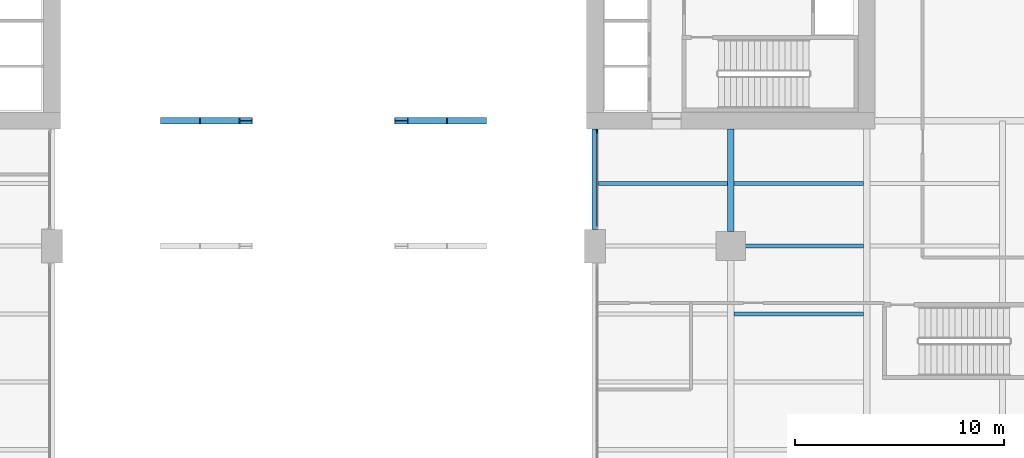
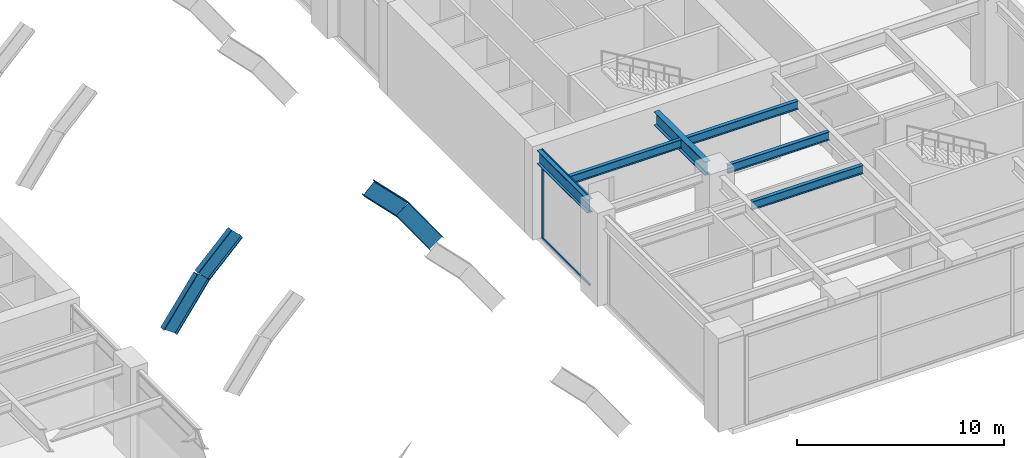
# One storey, part 4 of 18: 7 members, 6 beams, 1 element without a shape of its own.
"""IFC4 building model written with IfcOpenShell, lengths in metres."""

from ifc_helpers import new_model, si_unit, direction, frame, origin, origin_2d, place, context, subcontext, project, spatial, rectangle, i_section, extrude, material, layer, layer_set, material_profile, profile_set, type_object, element, aggregate, save


model = new_model("IFC4")

# Units and contexts
model_context = context("Model", 3, precision=1e-05, world=origin(), true_north=direction((0.0, 1.0)))
body_context = subcontext(model_context, "Body", "Model", "MODEL_VIEW")
ifc_project = project(units=[si_unit("LENGTHUNIT", "METRE"), si_unit("AREAUNIT", "SQUARE_METRE"), si_unit("VOLUMEUNIT", "CUBIC_METRE"), si_unit("PLANEANGLEUNIT", "RADIAN"), si_unit("MASSUNIT", "GRAM", prefix="KILO")], contexts=[model_context])

# Site, building, storey
site_placement = place(None, origin())
site = spatial("IfcSite", under=ifc_project, at=site_placement, CompositionType="ELEMENT")
building_placement = place(site_placement, origin())
building = spatial("IfcBuilding", under=site, at=building_placement, Name="Putna Gate Headquarters", CompositionType="ELEMENT")
storey_placement = place(building_placement, frame((0.0, 0.0, 11.5)))
storey = spatial("IfcBuildingStorey", under=building, at=storey_placement, Name="L02", CompositionType="ELEMENT", Elevation=11.5)

# Beams
ifc_material_1 = material(Name="Steel S355J2", Category="steel")
ifc_material_profile_1 = material_profile(ifc_material_1, i_section(OverallWidth=0.300048828125, OverallDepth=0.800048828125, WebThickness=0.017578125, FlangeThickness=0.032958984375, at=origin_2d()), Name="Steel S355J2")
ifc_profile_set_1 = profile_set([ifc_material_profile_1], Name="Steel S355J2")
beam_type_1 = type_object("IfcBeamType", Name="BM-GIRD-P-HEB800", PredefinedType="USERDEFINED", material=ifc_profile_set_1)
beam_1_placement = place(storey_placement, frame((52.0, 13.7880859375, 4.820068359375), z_axis=(0.0, 1.0, 0.0), x_axis=(-1.0, 0.0, 0.0)))
element("IfcBeam", 1, at=beam_1_placement, inside=storey, type_object=beam_type_1, Name="L02 South Primary Girder X52-2", ObjectType="GIRDER", PredefinedType="USERDEFINED", context=body_context, shape_type="SweptSolid", body=[
    extrude(i_section(OverallWidth=0.300048828125, OverallDepth=0.800048828125, WebThickness=0.017578125, FlangeThickness=0.032958984375, at=origin_2d()), origin(), (0.0, 0.0, 1.0), 4.826904296875),
])
beam_2_placement = place(storey_placement, frame((58.5, 13.68798828125, 4.820068359375), z_axis=(0.0, 1.0, 0.0), x_axis=(-1.0, 0.0, 0.0)))
element("IfcBeam", 2, at=beam_2_placement, inside=storey, type_object=beam_type_1, Name="L02 South Primary Girder X58-2", ObjectType="GIRDER", PredefinedType="USERDEFINED", context=body_context, shape_type="SweptSolid", body=[
    extrude(i_section(OverallWidth=0.300048828125, OverallDepth=0.800048828125, WebThickness=0.017578125, FlangeThickness=0.032958984375, at=origin_2d()), origin(), (0.0, 0.0, 1.0), 4.927001953125),
])
ifc_material_profile_2 = material_profile(ifc_material_1, i_section(OverallWidth=0.199951171875, OverallDepth=0.5, WebThickness=0.01025390625, FlangeThickness=0.01611328125, at=origin_2d()), Name="Steel S355J2")
ifc_profile_set_2 = profile_set([ifc_material_profile_2], Name="Steel S355J2")
beam_type_2 = type_object("IfcBeamType", Name="BM-SEC-P-IPE500", PredefinedType="BEAM", material=ifc_profile_set_2)
for number, where, z_axis, x_axis, name in (
    (3, (52.154052734375, 16.0, 4.969970703125), (1.0, 0.0, 0.0), (0.0, 1.0, 0.0), "L02 South Secondary Beam 5"),
    (4, (58.654052734375, 9.75, 4.969970703125), (1.0, 0.0, 0.0), (0.0, 1.0, 0.0), "L02 South Secondary Beam 6"),
):
    element("IfcBeam", number, at=place(storey_placement, frame(where, z_axis=z_axis, x_axis=x_axis)), inside=storey, type_object=beam_type_2, Name=name, PredefinedType="BEAM", context=body_context, shape_type="SweptSolid", body=[
        extrude(i_section(OverallWidth=0.199951171875, OverallDepth=0.5, WebThickness=0.01025390625, FlangeThickness=0.01611328125, at=origin_2d()), origin(), (0.0, 0.0, 1.0), 6.19189453125),
    ])
beam_3_placement = place(storey_placement, frame((59.18798828125, 13.0, 4.969970703125), z_axis=(1.0, 0.0, 0.0), x_axis=(0.0, 1.0, 0.0)))
element("IfcBeam", 5, at=beam_3_placement, inside=storey, type_object=beam_type_2, Name="L02 South Secondary Beam 6", PredefinedType="BEAM", context=body_context, shape_type="SweptSolid", body=[
    extrude(i_section(OverallWidth=0.199951171875, OverallDepth=0.5, WebThickness=0.01025390625, FlangeThickness=0.01611328125, at=origin_2d()), origin(), (0.0, 0.0, 1.0), 5.657958984375),
])
beam_4_placement = place(storey_placement, frame((58.654052734375, 16.0, 4.969970703125), z_axis=(1.0, 0.0, 0.0), x_axis=(0.0, 1.0, 0.0)))
element("IfcBeam", 6, at=beam_4_placement, inside=storey, type_object=beam_type_2, Name="L02 South Secondary Beam 6", PredefinedType="BEAM", context=body_context, shape_type="SweptSolid", body=[
    extrude(i_section(OverallWidth=0.199951171875, OverallDepth=0.5, WebThickness=0.01025390625, FlangeThickness=0.01611328125, at=origin_2d()), origin(), (0.0, 0.0, 1.0), 6.19189453125),
])

# Members
ifc_material_2 = material(Name="Steel S460M", Category="steel")
ifc_material_profile_3 = material_profile(ifc_material_2, i_section(OverallWidth=0.302001953125, OverallDepth=0.909912109375, WebThickness=0.02099609375, FlangeThickness=0.0400390625, at=origin_2d()), Name="Steel S460M")
ifc_profile_set_3 = profile_set([ifc_material_profile_3], Name="Steel S460M")
member_type_1 = type_object("IfcMemberType", Name="MEM-ARCH-CHORD-INT-HEM900", PredefinedType="STRUT", material=ifc_profile_set_3)
member_1_placement = place(storey_placement, frame((31.5712890625, 19.0, 1.44189453125), z_axis=(0.577111975732, 0.0, 0.816665027699), x_axis=(0.0, 1.0, 0.0)))
element("IfcMember", 7, at=member_1_placement, inside=storey, type_object=member_type_1, Name="Giant Parabolic Arch Chord AS-4", PredefinedType="STRUT", context=body_context, shape_type="SweptSolid", body=[
    extrude(i_section(OverallWidth=0.302001953125, OverallDepth=0.909912109375, WebThickness=0.02099609375, FlangeThickness=0.0400390625, at=origin_2d()), origin(), (0.0, 0.0, 1.0), 3.218505859375),
])
for number, where, z_axis, x_axis, name in (
    (8, (33.4287109375, 19.0, 4.0703125), (0.703166784248, 0.0, 0.711024945786), (0.0, 1.0, 0.0), "Giant Parabolic Arch Chord AS-5"),
    (9, (42.71435546875, 19.0, 5.947998046875), (0.703166784248, 0.0, -0.711024945786), (0.0, 1.0, 0.0), "Giant Parabolic Arch Chord AS-10"),
):
    element("IfcMember", number, at=place(storey_placement, frame(where, z_axis=z_axis, x_axis=x_axis)), inside=storey, type_object=member_type_1, Name=name, PredefinedType="STRUT", context=body_context, shape_type="SweptSolid", body=[
        extrude(i_section(OverallWidth=0.302001953125, OverallDepth=0.909912109375, WebThickness=0.02099609375, FlangeThickness=0.0400390625, at=origin_2d()), origin(), (0.0, 0.0, 1.0), 2.640869140625),
    ])
member_2_placement = place(storey_placement, frame((44.5712890625, 19.0, 4.0703125), z_axis=(0.577111975732, 0.0, -0.816665027699), x_axis=(0.0, 1.0, 0.0)))
element("IfcMember", 10, at=member_2_placement, inside=storey, type_object=member_type_1, Name="Giant Parabolic Arch Chord AS-11", PredefinedType="STRUT", context=body_context, shape_type="SweptSolid", body=[
    extrude(i_section(OverallWidth=0.302001953125, OverallDepth=0.909912109375, WebThickness=0.02099609375, FlangeThickness=0.0400390625, at=origin_2d()), origin(), (0.0, 0.0, 1.0), 3.218505859375),
])

# Curtain wall, members
ifc_material_3 = material(Name="Anodised bronze aluminium curtain wall", Category="aluminium")
ifc_layer = layer(ifc_material_3, 0.179931640625)
ifc_layer_set = layer_set([ifc_layer], Name="Anodised bronze aluminium curtain wall")
curtain_wall_type = type_object("IfcCurtainWallType", Name="CW-SYS-ATR", PredefinedType="USERDEFINED", material=ifc_layer_set)
curtain_wall_placement = place(storey_placement, origin())
curtain_wall = element("IfcCurtainWall", 11, at=curtain_wall_placement, inside=storey, type_object=curtain_wall_type, Name="L02 Arch Flank Glazing E-S2", ObjectType="ATRIUM GLAZING", PredefinedType="USERDEFINED")
ifc_material_4 = material(Name="Anodised bronze aluminium EN AW-6060", Category="aluminium")
ifc_material_profile_4 = material_profile(ifc_material_4, rectangle(XDim=0.070068359375, YDim=0.179931640625, at=origin_2d()), Name="Anodised bronze aluminium EN AW-6060")
ifc_profile_set_4 = profile_set([ifc_material_profile_4], Name="Anodised bronze aluminium EN AW-6060")
member_type_2 = type_object("IfcMemberType", Name="MULL-CWM-AT", PredefinedType="MULLION", material=ifc_profile_set_4)
member_3_placement = place(storey_placement, frame((52.10009765625, 18.485107421875, 0.0), z_axis=(0.0, 0.0, 1.0), x_axis=(-1.0, 0.0, 0.0)))
member_3 = element("IfcMember", 12, at=member_3_placement, type_object=member_type_2, Name="CWS-AT mullion 2", PredefinedType="MULLION", context=body_context, shape_type="SweptSolid", body=[
    extrude(rectangle(XDim=0.070068359375, YDim=0.179931640625, at=origin_2d()), origin(), (0.0, 0.0, 1.0), 5.219970703125),
])
ifc_material_profile_5 = material_profile(ifc_material_4, rectangle(XDim=0.070068359375, YDim=0.139892578125, at=origin_2d()), Name="Anodised bronze aluminium EN AW-6060")
ifc_profile_set_5 = profile_set([ifc_material_profile_5], Name="Anodised bronze aluminium EN AW-6060")
member_type_3 = type_object("IfcMemberType", Name="TRAN-CWT-AT", PredefinedType="USERDEFINED", material=ifc_profile_set_5)
member_4_placement = place(storey_placement, frame((52.10009765625, 13.949951171875, 0.034912109375), z_axis=(0.0, 1.0, 0.0), x_axis=(-1.0, 0.0, 0.0)))
member_4 = element("IfcMember", 13, at=member_4_placement, type_object=member_type_3, Name="CWS-AT transom 1.1", ObjectType="TRANSOM", PredefinedType="USERDEFINED", context=body_context, shape_type="SweptSolid", body=[
    extrude(rectangle(XDim=0.070068359375, YDim=0.139892578125, at=origin_2d()), origin(), (0.0, 0.0, 1.0), 4.5),
])
member_5_placement = place(storey_placement, frame((52.10009765625, 13.949951171875, 5.18505859375), z_axis=(0.0, 1.0, 0.0), x_axis=(-1.0, 0.0, 0.0)))
member_5 = element("IfcMember", 14, at=member_5_placement, type_object=member_type_3, Name="CWS-AT transom 1.2", ObjectType="TRANSOM", PredefinedType="USERDEFINED", context=body_context, shape_type="SweptSolid", body=[
    extrude(rectangle(XDim=0.070068359375, YDim=0.139892578125, at=origin_2d()), origin(), (0.0, 0.0, 1.0), 4.5),
])
aggregate(curtain_wall, [member_3, member_4, member_5])

save(model, "model.ifc")
